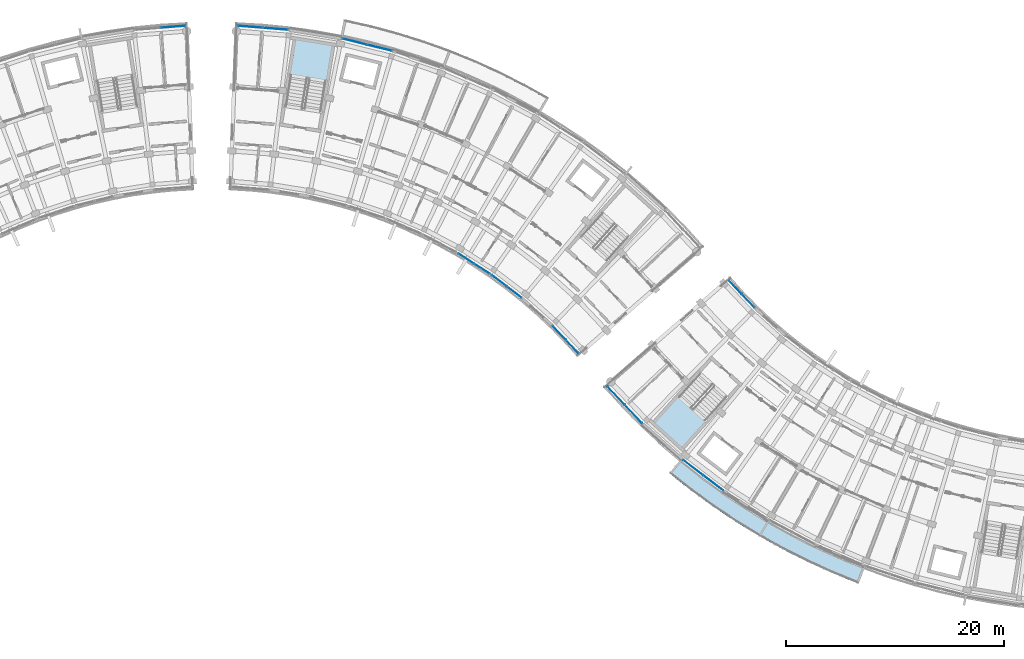
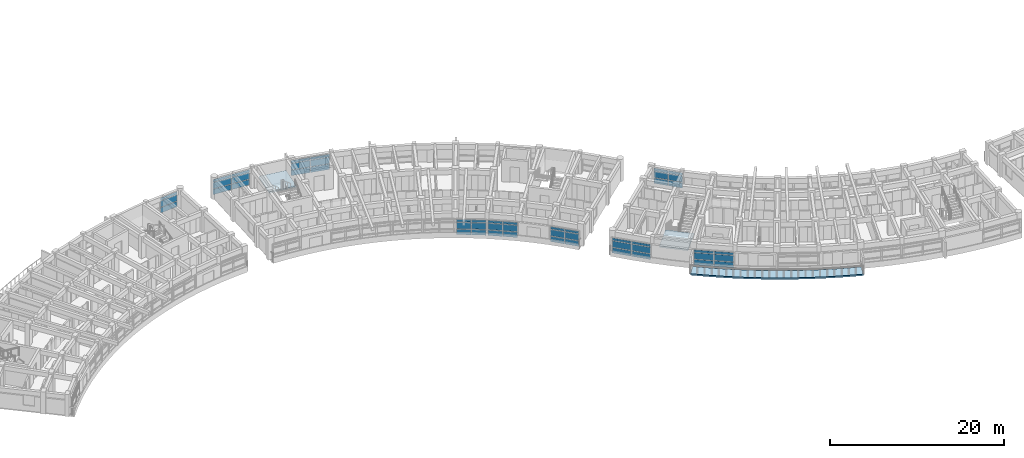
# One storey, part 23 of 55: 51 plates, 3 slabs, 11 elements without a shape of their own.
"""IFC4 building model written with IfcOpenShell, lengths in metres."""

from ifc_helpers import new_model, si_unit, direction, frame, origin, origin_2d, place, context, subcontext, project, spatial, polyline, rectangle, outline, extrude, material, layer, layer_set, type_object, element, aggregate, save


model = new_model("IFC4")

# Units and contexts
model_context = context("Model", 3, precision=1e-05, world=origin(), true_north=direction((0.0, 1.0)))
body_context = subcontext(model_context, "Body", "Model", "MODEL_VIEW")
ifc_project = project(units=[si_unit("LENGTHUNIT", "METRE"), si_unit("AREAUNIT", "SQUARE_METRE"), si_unit("VOLUMEUNIT", "CUBIC_METRE"), si_unit("PLANEANGLEUNIT", "RADIAN"), si_unit("MASSUNIT", "GRAM", prefix="KILO")], contexts=[model_context])

# Site, building, storey
site_placement = place(None, origin())
site = spatial("IfcSite", under=ifc_project, at=site_placement, CompositionType="ELEMENT")
building_placement = place(site_placement, origin())
building = spatial("IfcBuilding", under=site, at=building_placement, Name="Zimvara Arc Housing Community", CompositionType="ELEMENT")
storey_placement = place(building_placement, frame((0.0, 0.0, 14.300048828125)))
storey = spatial("IfcBuildingStorey", under=building, at=storey_placement, Name="L04", CompositionType="ELEMENT", Elevation=14.300048828125)

# Curtain wall, plates
ifc_material_1 = material(Name="Anodised Aluminium AW-6063", Category="aluminium")
curtain_wall_type_1 = type_object("IfcCurtainWallType", Name="CW-SYS-08", PredefinedType="USERDEFINED", material=ifc_material_1)
curtain_wall_1_placement = place(storey_placement, origin())
curtain_wall_1 = element("IfcCurtainWall", 1, at=curtain_wall_1_placement, inside=storey, type_object=curtain_wall_type_1, Name="cw:blkB:L04:in:b7", ObjectType="CURTAIN WALL", PredefinedType="USERDEFINED")
ifc_material_2 = material(Name="Pale-Gold Anodised Aluminium Spandrel Panel", Category="aluminium")
ifc_layer_1 = layer(ifc_material_2, 0.035888671875)
ifc_layer_set_1 = layer_set([ifc_layer_1], Name="Pale-Gold Anodised Aluminium Spandrel Panel")
plate_type_1 = type_object("IfcPlateType", Name="CWP-GLD-36", PredefinedType="CURTAIN_PANEL", material=ifc_layer_set_1)
plate_1_placement = place(storey_placement, frame((71.328857421875, 80.48828125, 0.06494140625), z_axis=(0.0, 0.0, 1.0), x_axis=(0.795473543119, -0.605988318533, 0.0)))
plate_1 = element("IfcPlate", 2, at=plate_1_placement, type_object=plate_type_1, Name="CW08 panel 1.1", PredefinedType="CURTAIN_PANEL", context=body_context, shape_type="SweptSolid", body=[
    extrude(rectangle(XDim=1.664306640625, YDim=0.035888671875, at=origin_2d()), origin(), (0.0, 0.0, 1.0), 0.75244140625),
])
plate_2_placement = place(storey_placement, frame((71.328857421875, 80.48828125, 0.88232421875), z_axis=(0.0, 0.0, 1.0), x_axis=(0.795473543119, -0.605988318533, 0.0)))
plate_2 = element("IfcPlate", 3, at=plate_2_placement, type_object=plate_type_1, Name="CW08 panel 1.2", PredefinedType="CURTAIN_PANEL", context=body_context, shape_type="SweptSolid", body=[
    extrude(rectangle(XDim=1.664306640625, YDim=0.035888671875, at=origin_2d()), origin(), (0.0, 0.0, 1.0), 0.885009765625),
])
plate_3_placement = place(storey_placement, frame((71.328857421875, 80.48828125, 1.83251953125), z_axis=(0.0, 0.0, 1.0), x_axis=(0.795473543119, -0.605988318533, 0.0)))
plate_3 = element("IfcPlate", 4, at=plate_3_placement, type_object=plate_type_1, Name="CW08 panel 1.3", PredefinedType="CURTAIN_PANEL", context=body_context, shape_type="SweptSolid", body=[
    extrude(rectangle(XDim=1.664306640625, YDim=0.035888671875, at=origin_2d()), origin(), (0.0, 0.0, 1.0), 0.3525390625),
])
plate_4_placement = place(storey_placement, frame((72.704345703125, 79.4404296875, 0.06494140625), z_axis=(0.0, 0.0, 1.0), x_axis=(0.795473543119, -0.605988318533, 0.0)))
plate_4 = element("IfcPlate", 5, at=plate_4_placement, type_object=plate_type_1, Name="CW08 panel 2.1", PredefinedType="CURTAIN_PANEL", context=body_context, shape_type="SweptSolid", body=[
    extrude(rectangle(XDim=1.664306640625, YDim=0.035888671875, at=origin_2d()), origin(), (0.0, 0.0, 1.0), 0.75244140625),
])
plate_5_placement = place(storey_placement, frame((72.704345703125, 79.4404296875, 0.88232421875), z_axis=(0.0, 0.0, 1.0), x_axis=(0.795473543119, -0.605988318533, 0.0)))
plate_5 = element("IfcPlate", 6, at=plate_5_placement, type_object=plate_type_1, Name="CW08 panel 2.2", PredefinedType="CURTAIN_PANEL", context=body_context, shape_type="SweptSolid", body=[
    extrude(rectangle(XDim=1.664306640625, YDim=0.035888671875, at=origin_2d()), origin(), (0.0, 0.0, 1.0), 0.885009765625),
])
plate_6_placement = place(storey_placement, frame((72.704345703125, 79.4404296875, 1.83251953125), z_axis=(0.0, 0.0, 1.0), x_axis=(0.795473543119, -0.605988318533, 0.0)))
plate_6 = element("IfcPlate", 7, at=plate_6_placement, type_object=plate_type_1, Name="CW08 panel 2.3", PredefinedType="CURTAIN_PANEL", context=body_context, shape_type="SweptSolid", body=[
    extrude(rectangle(XDim=1.664306640625, YDim=0.035888671875, at=origin_2d()), origin(), (0.0, 0.0, 1.0), 0.3525390625),
])
aggregate(curtain_wall_1, [plate_1, plate_2, plate_3, plate_4, plate_5, plate_6])

ifc_material_3 = material(Name="Anodised Aluminium AW-6063", Category="aluminium")
curtain_wall_type_2 = type_object("IfcCurtainWallType", Name="CW-SYS-01", PredefinedType="USERDEFINED", material=ifc_material_3)
curtain_wall_2_placement = place(storey_placement, origin())
curtain_wall_2 = element("IfcCurtainWall", 8, at=curtain_wall_2_placement, inside=storey, type_object=curtain_wall_type_2, Name="cw:blkA:L04:out:b9", ObjectType="CURTAIN WALL", PredefinedType="USERDEFINED")
ifc_material_4 = material(Name="Solar Control Low-E Double Glazing", Category="glass")
ifc_layer_2 = layer(ifc_material_4, 0.02392578125)
ifc_layer_set_2 = layer_set([ifc_layer_2], Name="Solar Control Low-E Double Glazing")
plate_type_2 = type_object("IfcPlateType", Name="CWP-GLZ-24", PredefinedType="CURTAIN_PANEL", material=ifc_layer_set_2)
plate_7_placement = place(storey_placement, frame((41.466064453125, 103.736572265625, 0.06494140625), z_axis=(0.0, 0.0, 1.0), x_axis=(0.996862418963, 0.079153759607, 0.0)))
plate_7 = element("IfcPlate", 9, at=plate_7_placement, type_object=plate_type_2, Name="CW01 panel 2.1", PredefinedType="CURTAIN_PANEL", context=body_context, shape_type="SweptSolid", body=[
    extrude(rectangle(XDim=2.266845703125, YDim=0.02392578125, at=origin_2d()), origin(), (0.0, 0.0, 1.0), 0.75244140625),
])
plate_8_placement = place(storey_placement, frame((41.466064453125, 103.736572265625, 0.88232421875), z_axis=(0.0, 0.0, 1.0), x_axis=(0.996862418963, 0.079153759607, 0.0)))
plate_8 = element("IfcPlate", 10, at=plate_8_placement, type_object=plate_type_2, Name="CW01 panel 2.2", PredefinedType="CURTAIN_PANEL", context=body_context, shape_type="SweptSolid", body=[
    extrude(rectangle(XDim=2.266845703125, YDim=0.02392578125, at=origin_2d()), origin(), (0.0, 0.0, 1.0), 0.885009765625),
])
plate_9_placement = place(storey_placement, frame((41.466064453125, 103.736572265625, 1.83251953125), z_axis=(0.0, 0.0, 1.0), x_axis=(0.996862418963, 0.079153759607, 0.0)))
plate_9 = element("IfcPlate", 11, at=plate_9_placement, type_object=plate_type_2, Name="CW01 panel 2.3", PredefinedType="CURTAIN_PANEL", context=body_context, shape_type="SweptSolid", body=[
    extrude(rectangle(XDim=2.266845703125, YDim=0.02392578125, at=origin_2d()), origin(), (0.0, 0.0, 1.0), 0.3525390625),
])
aggregate(curtain_wall_2, [plate_7, plate_8, plate_9])

ifc_material_5 = material(Name="Anodised Aluminium AW-6063", Category="aluminium")
curtain_wall_type_3 = type_object("IfcCurtainWallType", Name="CW-SYS-05", PredefinedType="USERDEFINED", material=ifc_material_5)
curtain_wall_3_placement = place(storey_placement, origin())
curtain_wall_3 = element("IfcCurtainWall", 12, at=curtain_wall_3_placement, inside=storey, type_object=curtain_wall_type_3, Name="cw:blkB:L04:out:b0", ObjectType="CURTAIN WALL", PredefinedType="USERDEFINED")
plate_10_placement = place(storey_placement, frame((48.533935546875, 103.736572265625, 0.06494140625), z_axis=(0.0, 0.0, 1.0), x_axis=(0.996862418963, -0.079153759607, 0.0)))
plate_10 = element("IfcPlate", 13, at=plate_10_placement, type_object=plate_type_2, Name="CW05 panel 1.1", PredefinedType="CURTAIN_PANEL", context=body_context, shape_type="SweptSolid", body=[
    extrude(rectangle(XDim=2.266845703125, YDim=0.02392578125, at=origin_2d()), origin(), (0.0, 0.0, 1.0), 0.75244140625),
])
plate_11_placement = place(storey_placement, frame((48.533935546875, 103.736572265625, 0.88232421875), z_axis=(0.0, 0.0, 1.0), x_axis=(0.996862418963, -0.079153759607, 0.0)))
plate_11 = element("IfcPlate", 14, at=plate_11_placement, type_object=plate_type_2, Name="CW05 panel 1.2", PredefinedType="CURTAIN_PANEL", context=body_context, shape_type="SweptSolid", body=[
    extrude(rectangle(XDim=2.266845703125, YDim=0.02392578125, at=origin_2d()), origin(), (0.0, 0.0, 1.0), 0.885009765625),
])
plate_12_placement = place(storey_placement, frame((48.533935546875, 103.736572265625, 1.83251953125), z_axis=(0.0, 0.0, 1.0), x_axis=(0.996862418963, -0.079153759607, 0.0)))
plate_12 = element("IfcPlate", 15, at=plate_12_placement, type_object=plate_type_2, Name="CW05 panel 1.3", PredefinedType="CURTAIN_PANEL", context=body_context, shape_type="SweptSolid", body=[
    extrude(rectangle(XDim=2.266845703125, YDim=0.02392578125, at=origin_2d()), origin(), (0.0, 0.0, 1.0), 0.3525390625),
])
plate_13_placement = place(storey_placement, frame((50.858642578125, 103.552001953125, 0.06494140625), z_axis=(0.0, 0.0, 1.0), x_axis=(0.996862418963, -0.079153759607, 0.0)))
plate_13 = element("IfcPlate", 16, at=plate_13_placement, type_object=plate_type_2, Name="CW05 panel 2.1", PredefinedType="CURTAIN_PANEL", context=body_context, shape_type="SweptSolid", body=[
    extrude(rectangle(XDim=2.266845703125, YDim=0.02392578125, at=origin_2d()), origin(), (0.0, 0.0, 1.0), 0.75244140625),
])
plate_14_placement = place(storey_placement, frame((50.858642578125, 103.552001953125, 0.88232421875), z_axis=(0.0, 0.0, 1.0), x_axis=(0.996862418963, -0.079153759607, 0.0)))
plate_14 = element("IfcPlate", 17, at=plate_14_placement, type_object=plate_type_2, Name="CW05 panel 2.2", PredefinedType="CURTAIN_PANEL", context=body_context, shape_type="SweptSolid", body=[
    extrude(rectangle(XDim=2.266845703125, YDim=0.02392578125, at=origin_2d()), origin(), (0.0, 0.0, 1.0), 0.885009765625),
])
plate_15_placement = place(storey_placement, frame((50.858642578125, 103.552001953125, 1.83251953125), z_axis=(0.0, 0.0, 1.0), x_axis=(0.996862418963, -0.079153759607, 0.0)))
plate_15 = element("IfcPlate", 18, at=plate_15_placement, type_object=plate_type_2, Name="CW05 panel 2.3", PredefinedType="CURTAIN_PANEL", context=body_context, shape_type="SweptSolid", body=[
    extrude(rectangle(XDim=2.266845703125, YDim=0.02392578125, at=origin_2d()), origin(), (0.0, 0.0, 1.0), 0.3525390625),
])
aggregate(curtain_wall_3, [plate_10, plate_11, plate_12, plate_13, plate_14, plate_15])

curtain_wall_4_placement = place(storey_placement, origin())
curtain_wall_4 = element("IfcCurtainWall", 19, at=curtain_wall_4_placement, inside=storey, type_object=curtain_wall_type_2, Name="cw:blkC:L04:out:b0", ObjectType="CURTAIN WALL", PredefinedType="USERDEFINED")
plate_16_placement = place(storey_placement, frame((82.029052734375, 69.988037109375, 0.06494140625), z_axis=(0.0, 0.0, 1.0), x_axis=(0.686326416495, -0.727293647725, 0.0)))
plate_16 = element("IfcPlate", 20, at=plate_16_placement, type_object=plate_type_2, Name="CW01 panel 1.1", PredefinedType="CURTAIN_PANEL", context=body_context, shape_type="SweptSolid", body=[
    extrude(rectangle(XDim=2.266845703125, YDim=0.02392578125, at=origin_2d()), origin(), (0.0, 0.0, 1.0), 0.75244140625),
])
plate_17_placement = place(storey_placement, frame((82.029052734375, 69.988037109375, 0.88232421875), z_axis=(0.0, 0.0, 1.0), x_axis=(0.686326416495, -0.727293647725, 0.0)))
plate_17 = element("IfcPlate", 21, at=plate_17_placement, type_object=plate_type_2, Name="CW01 panel 1.2", PredefinedType="CURTAIN_PANEL", context=body_context, shape_type="SweptSolid", body=[
    extrude(rectangle(XDim=2.266845703125, YDim=0.02392578125, at=origin_2d()), origin(), (0.0, 0.0, 1.0), 0.885009765625),
])
plate_18_placement = place(storey_placement, frame((82.029052734375, 69.988037109375, 1.83251953125), z_axis=(0.0, 0.0, 1.0), x_axis=(0.686326416495, -0.727293647725, 0.0)))
plate_18 = element("IfcPlate", 22, at=plate_18_placement, type_object=plate_type_2, Name="CW01 panel 1.3", PredefinedType="CURTAIN_PANEL", context=body_context, shape_type="SweptSolid", body=[
    extrude(rectangle(XDim=2.266845703125, YDim=0.02392578125, at=origin_2d()), origin(), (0.0, 0.0, 1.0), 0.3525390625),
])
plate_19_placement = place(storey_placement, frame((83.629638671875, 68.2919921875, 0.06494140625), z_axis=(0.0, 0.0, 1.0), x_axis=(0.686326416495, -0.727293647725, 0.0)))
plate_19 = element("IfcPlate", 23, at=plate_19_placement, type_object=plate_type_2, Name="CW01 panel 2.1", PredefinedType="CURTAIN_PANEL", context=body_context, shape_type="SweptSolid", body=[
    extrude(rectangle(XDim=2.266845703125, YDim=0.02392578125, at=origin_2d()), origin(), (0.0, 0.0, 1.0), 0.75244140625),
])
plate_20_placement = place(storey_placement, frame((83.629638671875, 68.2919921875, 0.88232421875), z_axis=(0.0, 0.0, 1.0), x_axis=(0.686326416495, -0.727293647725, 0.0)))
plate_20 = element("IfcPlate", 24, at=plate_20_placement, type_object=plate_type_2, Name="CW01 panel 2.2", PredefinedType="CURTAIN_PANEL", context=body_context, shape_type="SweptSolid", body=[
    extrude(rectangle(XDim=2.266845703125, YDim=0.02392578125, at=origin_2d()), origin(), (0.0, 0.0, 1.0), 0.885009765625),
])
plate_21_placement = place(storey_placement, frame((83.629638671875, 68.2919921875, 1.83251953125), z_axis=(0.0, 0.0, 1.0), x_axis=(0.686326416495, -0.727293647725, 0.0)))
plate_21 = element("IfcPlate", 25, at=plate_21_placement, type_object=plate_type_2, Name="CW01 panel 2.3", PredefinedType="CURTAIN_PANEL", context=body_context, shape_type="SweptSolid", body=[
    extrude(rectangle(XDim=2.266845703125, YDim=0.02392578125, at=origin_2d()), origin(), (0.0, 0.0, 1.0), 0.3525390625),
])
aggregate(curtain_wall_4, [plate_16, plate_17, plate_18, plate_19, plate_20, plate_21])

ifc_material_6 = material(Name="Anodised Aluminium AW-6063", Category="aluminium")
curtain_wall_type_4 = type_object("IfcCurtainWallType", Name="CW-SYS-06", PredefinedType="USERDEFINED", material=ifc_material_6)
curtain_wall_5_placement = place(storey_placement, origin())
curtain_wall_5 = element("IfcCurtainWall", 26, at=curtain_wall_5_placement, inside=storey, type_object=curtain_wall_type_4, Name="cw:blkB:L04:in:b6", ObjectType="CURTAIN WALL", PredefinedType="USERDEFINED")
ifc_material_7 = material(Name="Solar Control Low-E Double Glazing", Category="glass")
ifc_layer_3 = layer(ifc_material_7, 0.028076171875)
ifc_layer_set_3 = layer_set([ifc_layer_3], Name="Solar Control Low-E Double Glazing")
plate_type_3 = type_object("IfcPlateType", Name="CWP-GLZ-28", PredefinedType="CURTAIN_PANEL", material=ifc_layer_set_3)
plate_22_placement = place(storey_placement, frame((68.3046875, 82.5166015625, 0.06494140625), z_axis=(0.0, 0.0, 1.0), x_axis=(0.842264751752, -0.539064085203, 0.0)))
plate_22 = element("IfcPlate", 27, at=plate_22_placement, type_object=plate_type_3, Name="CW06 panel 1.1", PredefinedType="CURTAIN_PANEL", context=body_context, shape_type="SweptSolid", body=[
    extrude(rectangle(XDim=1.664306640625, YDim=0.028076171875, at=origin_2d()), origin(), (0.0, 0.0, 1.0), 0.75244140625),
])
plate_23_placement = place(storey_placement, frame((68.3046875, 82.5166015625, 0.88232421875), z_axis=(0.0, 0.0, 1.0), x_axis=(0.842264751752, -0.539064085203, 0.0)))
plate_23 = element("IfcPlate", 28, at=plate_23_placement, type_object=plate_type_3, Name="CW06 panel 1.2", PredefinedType="CURTAIN_PANEL", context=body_context, shape_type="SweptSolid", body=[
    extrude(rectangle(XDim=1.664306640625, YDim=0.028076171875, at=origin_2d()), origin(), (0.0, 0.0, 1.0), 0.885009765625),
])
plate_24_placement = place(storey_placement, frame((68.3046875, 82.5166015625, 1.83251953125), z_axis=(0.0, 0.0, 1.0), x_axis=(0.842264751752, -0.539064085203, 0.0)))
plate_24 = element("IfcPlate", 29, at=plate_24_placement, type_object=plate_type_3, Name="CW06 panel 1.3", PredefinedType="CURTAIN_PANEL", context=body_context, shape_type="SweptSolid", body=[
    extrude(rectangle(XDim=1.664306640625, YDim=0.028076171875, at=origin_2d()), origin(), (0.0, 0.0, 1.0), 0.3525390625),
])
plate_25_placement = place(storey_placement, frame((69.76123046875, 81.58447265625, 0.06494140625), z_axis=(0.0, 0.0, 1.0), x_axis=(0.842264751752, -0.539064085203, 0.0)))
plate_25 = element("IfcPlate", 30, at=plate_25_placement, type_object=plate_type_3, Name="CW06 panel 2.1", PredefinedType="CURTAIN_PANEL", context=body_context, shape_type="SweptSolid", body=[
    extrude(rectangle(XDim=1.664306640625, YDim=0.028076171875, at=origin_2d()), origin(), (0.0, 0.0, 1.0), 0.75244140625),
])
plate_26_placement = place(storey_placement, frame((69.76123046875, 81.58447265625, 0.88232421875), z_axis=(0.0, 0.0, 1.0), x_axis=(0.842264751752, -0.539064085203, 0.0)))
plate_26 = element("IfcPlate", 31, at=plate_26_placement, type_object=plate_type_3, Name="CW06 panel 2.2", PredefinedType="CURTAIN_PANEL", context=body_context, shape_type="SweptSolid", body=[
    extrude(rectangle(XDim=1.664306640625, YDim=0.028076171875, at=origin_2d()), origin(), (0.0, 0.0, 1.0), 0.885009765625),
])
plate_27_placement = place(storey_placement, frame((69.76123046875, 81.58447265625, 1.83251953125), z_axis=(0.0, 0.0, 1.0), x_axis=(0.842264751752, -0.539064085203, 0.0)))
plate_27 = element("IfcPlate", 32, at=plate_27_placement, type_object=plate_type_3, Name="CW06 panel 2.3", PredefinedType="CURTAIN_PANEL", context=body_context, shape_type="SweptSolid", body=[
    extrude(rectangle(XDim=1.664306640625, YDim=0.028076171875, at=origin_2d()), origin(), (0.0, 0.0, 1.0), 0.3525390625),
])
aggregate(curtain_wall_5, [plate_22, plate_23, plate_24, plate_25, plate_26, plate_27])

ifc_material_8 = material(Name="Anodised Aluminium AW-6063", Category="aluminium")
curtain_wall_type_5 = type_object("IfcCurtainWallType", Name="CW-SYS-02", PredefinedType="USERDEFINED", material=ifc_material_8)
curtain_wall_6_placement = place(storey_placement, origin())
curtain_wall_6 = element("IfcCurtainWall", 33, at=curtain_wall_6_placement, inside=storey, type_object=curtain_wall_type_5, Name="cw:blkB:L04:in:b9", ObjectType="CURTAIN WALL", PredefinedType="USERDEFINED")
plate_28_placement = place(storey_placement, frame((76.831298828125, 75.727294921875, 0.06494140625), z_axis=(0.0, 0.0, 1.0), x_axis=(0.686326805658, -0.727293280483, 0.0)))
plate_28 = element("IfcPlate", 34, at=plate_28_placement, type_object=plate_type_3, Name="CW02 panel 1.1", PredefinedType="CURTAIN_PANEL", context=body_context, shape_type="SweptSolid", body=[
    extrude(rectangle(XDim=1.664306640625, YDim=0.028076171875, at=origin_2d()), origin(), (0.0, 0.0, 1.0), 0.75244140625),
])
plate_29_placement = place(storey_placement, frame((76.831298828125, 75.727294921875, 0.88232421875), z_axis=(0.0, 0.0, 1.0), x_axis=(0.686326805658, -0.727293280483, 0.0)))
plate_29 = element("IfcPlate", 35, at=plate_29_placement, type_object=plate_type_3, Name="CW02 panel 1.2", PredefinedType="CURTAIN_PANEL", context=body_context, shape_type="SweptSolid", body=[
    extrude(rectangle(XDim=1.664306640625, YDim=0.028076171875, at=origin_2d()), origin(), (0.0, 0.0, 1.0), 0.885009765625),
])
plate_30_placement = place(storey_placement, frame((76.831298828125, 75.727294921875, 1.83251953125), z_axis=(0.0, 0.0, 1.0), x_axis=(0.686326805658, -0.727293280483, 0.0)))
plate_30 = element("IfcPlate", 36, at=plate_30_placement, type_object=plate_type_3, Name="CW02 panel 1.3", PredefinedType="CURTAIN_PANEL", context=body_context, shape_type="SweptSolid", body=[
    extrude(rectangle(XDim=1.664306640625, YDim=0.028076171875, at=origin_2d()), origin(), (0.0, 0.0, 1.0), 0.3525390625),
])
plate_31_placement = place(storey_placement, frame((78.018310546875, 74.469482421875, 0.06494140625), z_axis=(0.0, 0.0, 1.0), x_axis=(0.686326805658, -0.727293280483, 0.0)))
plate_31 = element("IfcPlate", 37, at=plate_31_placement, type_object=plate_type_3, Name="CW02 panel 2.1", PredefinedType="CURTAIN_PANEL", context=body_context, shape_type="SweptSolid", body=[
    extrude(rectangle(XDim=1.664306640625, YDim=0.028076171875, at=origin_2d()), origin(), (0.0, 0.0, 1.0), 0.75244140625),
])
plate_32_placement = place(storey_placement, frame((78.018310546875, 74.469482421875, 0.88232421875), z_axis=(0.0, 0.0, 1.0), x_axis=(0.686326805658, -0.727293280483, 0.0)))
plate_32 = element("IfcPlate", 38, at=plate_32_placement, type_object=plate_type_3, Name="CW02 panel 2.2", PredefinedType="CURTAIN_PANEL", context=body_context, shape_type="SweptSolid", body=[
    extrude(rectangle(XDim=1.664306640625, YDim=0.028076171875, at=origin_2d()), origin(), (0.0, 0.0, 1.0), 0.885009765625),
])
plate_33_placement = place(storey_placement, frame((78.018310546875, 74.469482421875, 1.83251953125), z_axis=(0.0, 0.0, 1.0), x_axis=(0.686326805658, -0.727293280483, 0.0)))
plate_33 = element("IfcPlate", 39, at=plate_33_placement, type_object=plate_type_3, Name="CW02 panel 2.3", PredefinedType="CURTAIN_PANEL", context=body_context, shape_type="SweptSolid", body=[
    extrude(rectangle(XDim=1.664306640625, YDim=0.028076171875, at=origin_2d()), origin(), (0.0, 0.0, 1.0), 0.3525390625),
])
aggregate(curtain_wall_6, [plate_28, plate_29, plate_30, plate_31, plate_32, plate_33])

curtain_wall_7_placement = place(storey_placement, origin())
curtain_wall_7 = element("IfcCurtainWall", 40, at=curtain_wall_7_placement, inside=storey, type_object=curtain_wall_type_5, Name="cw:blkC:L04:in:b0", ObjectType="CURTAIN WALL", PredefinedType="USERDEFINED")
plate_34_placement = place(storey_placement, frame((92.961669921875, 79.890625, 0.06494140625), z_axis=(0.0, 0.0, 1.0), x_axis=(0.686326805658, -0.727293280483, 0.0)))
plate_34 = element("IfcPlate", 41, at=plate_34_placement, type_object=plate_type_3, Name="CW02 panel 1.1", PredefinedType="CURTAIN_PANEL", context=body_context, shape_type="SweptSolid", body=[
    extrude(rectangle(XDim=1.664306640625, YDim=0.028076171875, at=origin_2d()), origin(), (0.0, 0.0, 1.0), 0.75244140625),
])
plate_35_placement = place(storey_placement, frame((92.961669921875, 79.890625, 0.88232421875), z_axis=(0.0, 0.0, 1.0), x_axis=(0.686326805658, -0.727293280483, 0.0)))
plate_35 = element("IfcPlate", 42, at=plate_35_placement, type_object=plate_type_3, Name="CW02 panel 1.2", PredefinedType="CURTAIN_PANEL", context=body_context, shape_type="SweptSolid", body=[
    extrude(rectangle(XDim=1.664306640625, YDim=0.028076171875, at=origin_2d()), origin(), (0.0, 0.0, 1.0), 0.885009765625),
])
plate_36_placement = place(storey_placement, frame((92.961669921875, 79.890625, 1.83251953125), z_axis=(0.0, 0.0, 1.0), x_axis=(0.686326805658, -0.727293280483, 0.0)))
plate_36 = element("IfcPlate", 43, at=plate_36_placement, type_object=plate_type_3, Name="CW02 panel 1.3", PredefinedType="CURTAIN_PANEL", context=body_context, shape_type="SweptSolid", body=[
    extrude(rectangle(XDim=1.664306640625, YDim=0.028076171875, at=origin_2d()), origin(), (0.0, 0.0, 1.0), 0.3525390625),
])
plate_37_placement = place(storey_placement, frame((94.148681640625, 78.6328125, 0.06494140625), z_axis=(0.0, 0.0, 1.0), x_axis=(0.686326805658, -0.727293280483, 0.0)))
plate_37 = element("IfcPlate", 44, at=plate_37_placement, type_object=plate_type_3, Name="CW02 panel 2.1", PredefinedType="CURTAIN_PANEL", context=body_context, shape_type="SweptSolid", body=[
    extrude(rectangle(XDim=1.664306640625, YDim=0.028076171875, at=origin_2d()), origin(), (0.0, 0.0, 1.0), 0.75244140625),
])
plate_38_placement = place(storey_placement, frame((94.148681640625, 78.6328125, 0.88232421875), z_axis=(0.0, 0.0, 1.0), x_axis=(0.686326805658, -0.727293280483, 0.0)))
plate_38 = element("IfcPlate", 45, at=plate_38_placement, type_object=plate_type_3, Name="CW02 panel 2.2", PredefinedType="CURTAIN_PANEL", context=body_context, shape_type="SweptSolid", body=[
    extrude(rectangle(XDim=1.664306640625, YDim=0.028076171875, at=origin_2d()), origin(), (0.0, 0.0, 1.0), 0.885009765625),
])
plate_39_placement = place(storey_placement, frame((94.148681640625, 78.6328125, 1.83251953125), z_axis=(0.0, 0.0, 1.0), x_axis=(0.686326805658, -0.727293280483, 0.0)))
plate_39 = element("IfcPlate", 46, at=plate_39_placement, type_object=plate_type_3, Name="CW02 panel 2.3", PredefinedType="CURTAIN_PANEL", context=body_context, shape_type="SweptSolid", body=[
    extrude(rectangle(XDim=1.664306640625, YDim=0.028076171875, at=origin_2d()), origin(), (0.0, 0.0, 1.0), 0.3525390625),
])
aggregate(curtain_wall_7, [plate_34, plate_35, plate_36, plate_37, plate_38, plate_39])

ifc_material_9 = material(Name="Anodised Aluminium AW-6063", Category="aluminium")
curtain_wall_type_6 = type_object("IfcCurtainWallType", Name="CW-SYS-07", PredefinedType="USERDEFINED", material=ifc_material_9)
curtain_wall_8_placement = place(storey_placement, origin())
curtain_wall_8 = element("IfcCurtainWall", 47, at=curtain_wall_8_placement, inside=storey, type_object=curtain_wall_type_6, Name="cw:blkB:L04:out:b2", ObjectType="CURTAIN WALL", PredefinedType="USERDEFINED")
ifc_material_10 = material(Name="Acoustic Laminated Solar Glazing", Category="glass")
ifc_layer_4 = layer(ifc_material_10, 0.031982421875)
ifc_layer_set_4 = layer_set([ifc_layer_4], Name="Acoustic Laminated Solar Glazing")
plate_type_4 = type_object("IfcPlateType", Name="CWP-GLZ-32", PredefinedType="CURTAIN_PANEL", material=ifc_layer_set_4)
plate_40_placement = place(storey_placement, frame((58.12109375, 102.373291015625, 0.06494140625), z_axis=(0.0, 0.0, 1.0), x_axis=(0.970716068627, -0.240229711131, 0.0)))
plate_40 = element("IfcPlate", 48, at=plate_40_placement, type_object=plate_type_4, Name="CW07 panel 1.1", PredefinedType="CURTAIN_PANEL", context=body_context, shape_type="SweptSolid", body=[
    extrude(rectangle(XDim=2.266845703125, YDim=0.031982421875, at=origin_2d()), origin(), (0.0, 0.0, 1.0), 0.75244140625),
])
plate_41_placement = place(storey_placement, frame((58.12109375, 102.373291015625, 0.88232421875), z_axis=(0.0, 0.0, 1.0), x_axis=(0.970716068627, -0.240229711131, 0.0)))
plate_41 = element("IfcPlate", 49, at=plate_41_placement, type_object=plate_type_4, Name="CW07 panel 1.2", PredefinedType="CURTAIN_PANEL", context=body_context, shape_type="SweptSolid", body=[
    extrude(rectangle(XDim=2.266845703125, YDim=0.031982421875, at=origin_2d()), origin(), (0.0, 0.0, 1.0), 0.885009765625),
])
plate_42_placement = place(storey_placement, frame((58.12109375, 102.373291015625, 1.83251953125), z_axis=(0.0, 0.0, 1.0), x_axis=(0.970716068627, -0.240229711131, 0.0)))
plate_42 = element("IfcPlate", 50, at=plate_42_placement, type_object=plate_type_4, Name="CW07 panel 1.3", PredefinedType="CURTAIN_PANEL", context=body_context, shape_type="SweptSolid", body=[
    extrude(rectangle(XDim=2.266845703125, YDim=0.031982421875, at=origin_2d()), origin(), (0.0, 0.0, 1.0), 0.3525390625),
])
plate_43_placement = place(storey_placement, frame((60.384765625, 101.81298828125, 0.06494140625), z_axis=(0.0, 0.0, 1.0), x_axis=(0.970716068627, -0.240229711131, 0.0)))
plate_43 = element("IfcPlate", 51, at=plate_43_placement, type_object=plate_type_4, Name="CW07 panel 2.1", PredefinedType="CURTAIN_PANEL", context=body_context, shape_type="SweptSolid", body=[
    extrude(rectangle(XDim=2.266845703125, YDim=0.031982421875, at=origin_2d()), origin(), (0.0, 0.0, 1.0), 0.75244140625),
])
plate_44_placement = place(storey_placement, frame((60.384765625, 101.81298828125, 0.88232421875), z_axis=(0.0, 0.0, 1.0), x_axis=(0.970716068627, -0.240229711131, 0.0)))
plate_44 = element("IfcPlate", 52, at=plate_44_placement, type_object=plate_type_4, Name="CW07 panel 2.2", PredefinedType="CURTAIN_PANEL", context=body_context, shape_type="SweptSolid", body=[
    extrude(rectangle(XDim=2.266845703125, YDim=0.031982421875, at=origin_2d()), origin(), (0.0, 0.0, 1.0), 0.885009765625),
])
plate_45_placement = place(storey_placement, frame((60.384765625, 101.81298828125, 1.83251953125), z_axis=(0.0, 0.0, 1.0), x_axis=(0.970716068627, -0.240229711131, 0.0)))
plate_45 = element("IfcPlate", 53, at=plate_45_placement, type_object=plate_type_4, Name="CW07 panel 2.3", PredefinedType="CURTAIN_PANEL", context=body_context, shape_type="SweptSolid", body=[
    extrude(rectangle(XDim=2.266845703125, YDim=0.031982421875, at=origin_2d()), origin(), (0.0, 0.0, 1.0), 0.3525390625),
])
aggregate(curtain_wall_8, [plate_40, plate_41, plate_42, plate_43, plate_44, plate_45])

ifc_material_11 = material(Name="Anodised Aluminium AW-6063", Category="aluminium")
curtain_wall_type_7 = type_object("IfcCurtainWallType", Name="CW-SYS-03", PredefinedType="USERDEFINED", material=ifc_material_11)
curtain_wall_9_placement = place(storey_placement, origin())
curtain_wall_9 = element("IfcCurtainWall", 54, at=curtain_wall_9_placement, inside=storey, type_object=curtain_wall_type_7, Name="cw:blkC:L04:out:b2", ObjectType="CURTAIN WALL", PredefinedType="USERDEFINED")
plate_46_placement = place(storey_placement, frame((89.098876953125, 63.370849609375, 0.06494140625), z_axis=(0.0, 0.0, 1.0), x_axis=(0.795473999177, -0.60598771987, 0.0)))
plate_46 = element("IfcPlate", 55, at=plate_46_placement, type_object=plate_type_4, Name="CW03 panel 1.1", PredefinedType="CURTAIN_PANEL", context=body_context, shape_type="SweptSolid", body=[
    extrude(rectangle(XDim=2.266845703125, YDim=0.031982421875, at=origin_2d()), origin(), (0.0, 0.0, 1.0), 0.75244140625),
])
plate_47_placement = place(storey_placement, frame((89.098876953125, 63.370849609375, 0.88232421875), z_axis=(0.0, 0.0, 1.0), x_axis=(0.795473999177, -0.60598771987, 0.0)))
plate_47 = element("IfcPlate", 56, at=plate_47_placement, type_object=plate_type_4, Name="CW03 panel 1.2", PredefinedType="CURTAIN_PANEL", context=body_context, shape_type="SweptSolid", body=[
    extrude(rectangle(XDim=2.266845703125, YDim=0.031982421875, at=origin_2d()), origin(), (0.0, 0.0, 1.0), 0.885009765625),
])
plate_48_placement = place(storey_placement, frame((89.098876953125, 63.370849609375, 1.83251953125), z_axis=(0.0, 0.0, 1.0), x_axis=(0.795473999177, -0.60598771987, 0.0)))
plate_48 = element("IfcPlate", 57, at=plate_48_placement, type_object=plate_type_4, Name="CW03 panel 1.3", PredefinedType="CURTAIN_PANEL", context=body_context, shape_type="SweptSolid", body=[
    extrude(rectangle(XDim=2.266845703125, YDim=0.031982421875, at=origin_2d()), origin(), (0.0, 0.0, 1.0), 0.3525390625),
])
plate_49_placement = place(storey_placement, frame((90.953857421875, 61.95751953125, 0.06494140625), z_axis=(0.0, 0.0, 1.0), x_axis=(0.795473999177, -0.60598771987, 0.0)))
plate_49 = element("IfcPlate", 58, at=plate_49_placement, type_object=plate_type_4, Name="CW03 panel 2.1", PredefinedType="CURTAIN_PANEL", context=body_context, shape_type="SweptSolid", body=[
    extrude(rectangle(XDim=2.266845703125, YDim=0.031982421875, at=origin_2d()), origin(), (0.0, 0.0, 1.0), 0.75244140625),
])
plate_50_placement = place(storey_placement, frame((90.953857421875, 61.95751953125, 0.88232421875), z_axis=(0.0, 0.0, 1.0), x_axis=(0.795473999177, -0.60598771987, 0.0)))
plate_50 = element("IfcPlate", 59, at=plate_50_placement, type_object=plate_type_4, Name="CW03 panel 2.2", PredefinedType="CURTAIN_PANEL", context=body_context, shape_type="SweptSolid", body=[
    extrude(rectangle(XDim=2.266845703125, YDim=0.031982421875, at=origin_2d()), origin(), (0.0, 0.0, 1.0), 0.885009765625),
])
plate_51_placement = place(storey_placement, frame((90.953857421875, 61.95751953125, 1.83251953125), z_axis=(0.0, 0.0, 1.0), x_axis=(0.795473999177, -0.60598771987, 0.0)))
plate_51 = element("IfcPlate", 60, at=plate_51_placement, type_object=plate_type_4, Name="CW03 panel 2.3", PredefinedType="CURTAIN_PANEL", context=body_context, shape_type="SweptSolid", body=[
    extrude(rectangle(XDim=2.266845703125, YDim=0.031982421875, at=origin_2d()), origin(), (0.0, 0.0, 1.0), 0.3525390625),
])
aggregate(curtain_wall_9, [plate_46, plate_47, plate_48, plate_49, plate_50, plate_51])

# Stair, slab
ifc_material_12 = material(Name="Concrete C35/45", Category="concrete")
stair_type_1 = type_object("IfcStairType", Name="STR-DL-315-310", PredefinedType="HALF_TURN_STAIR", material=ifc_material_12)
stair_1_placement = place(storey_placement, origin())
stair_1 = element("IfcStair", 61, at=stair_1_placement, inside=storey, type_object=stair_type_1, Name="L04 Block B Exit Stair 1", PredefinedType="HALF_TURN_STAIR")
ifc_material_13 = material(Name="Concrete C35/45", Category="concrete")
ifc_layer_5 = layer(ifc_material_13, 0.199951171875)
ifc_layer_set_5 = layer_set([ifc_layer_5], Name="Concrete C35/45")
slab_type_1 = type_object("IfcSlabType", Name="SLB-STAIR-LND-200", PredefinedType="LANDING", material=ifc_layer_set_5)
slab_1_placement = place(storey_placement, frame((0.0, 0.0, 1.349853515625)))
slab_1 = element("IfcSlab", 62, at=slab_1_placement, type_object=slab_type_1, Name="ST-B1 landing 1", PredefinedType="LANDING", context=body_context, shape_type="SweptSolid", body=[
    extrude(outline(polyline([(55.501953125, 98.712646484375), (56.037841796875, 102.014404296875), (52.721435546875, 102.552978515625), (52.185302734375, 99.2509765625), (55.501953125, 98.712646484375)])), origin(), (0.0, 0.0, 1.0), 0.2001953125),
])
aggregate(stair_1, [slab_1])

ifc_material_14 = material(Name="Concrete C35/45", Category="concrete")
stair_type_2 = type_object("IfcStairType", Name="STR-DL-318-310", PredefinedType="HALF_TURN_STAIR", material=ifc_material_14)
stair_2_placement = place(storey_placement, origin())
stair_2 = element("IfcStair", 63, at=stair_2_placement, inside=storey, type_object=stair_type_2, Name="L04 Block C Exit Stair 1", PredefinedType="HALF_TURN_STAIR")
slab_2_placement = place(storey_placement, frame((0.0, 0.0, 1.349853515625)))
slab_2 = element("IfcSlab", 64, at=slab_2_placement, type_object=slab_type_1, Name="ST-C1 landing 1", PredefinedType="LANDING", context=body_context, shape_type="SweptSolid", body=[
    extrude(outline(polyline([(87.794677734375, 69.932861328125), (85.575439453125, 67.46630859375), (88.0732421875, 65.218994140625), (90.29248046875, 67.685546875), (87.794677734375, 69.932861328125)])), origin(), (0.0, 0.0, 1.0), 0.2001953125),
])
aggregate(stair_2, [slab_2])

# Slab
ifc_material_15 = material(Name="Concrete C35/45", Category="concrete")
ifc_layer_6 = layer(ifc_material_15, 0.2099609375)
ifc_layer_set_6 = layer_set([ifc_layer_6], Name="Concrete C35/45")
slab_type_2 = type_object("IfcSlabType", Name="SLB-TER-210", PredefinedType="FLOOR", material=ifc_layer_set_6)
slab_3_placement = place(storey_placement, frame((0.0, 0.0, -0.2099609375)))
element("IfcSlab", 65, at=slab_3_placement, inside=storey, type_object=slab_type_2, Name="slab:blkC:L04:bal_out", PredefinedType="FLOOR", context=body_context, shape_type="SweptSolid", body=[
    extrude(outline(polyline([(104.688232421875, 54.160888671875), (104.687744140625, 54.1611328125), (102.432373046875, 55.076416015625), (102.431396484375, 55.076904296875), (100.21533203125, 56.08349609375), (100.214111328125, 56.083984375), (98.041015625, 57.18017578125), (98.0400390625, 57.180908203125), (95.91357421875, 58.364990234375), (95.912353515625, 58.365478515625), (93.836181640625, 59.635498046875), (93.8349609375, 59.63623046875), (91.812255859375, 60.98974609375), (91.811279296875, 60.990478515625), (89.845458984375, 62.425537109375), (89.844482421875, 62.42626953125), (87.938720703125, 63.9404296875), (87.938232421875, 63.94091796875), (87.00048828125, 62.808837890625), (87.969482421875, 62.022705078125), (88.9541015625, 61.256591796875), (89.954345703125, 60.5107421875), (90.969482421875, 59.785400390625), (91.999267578125, 59.080810546875), (93.043212890625, 58.397705078125), (94.100830078125, 57.73583984375), (95.171875, 57.095703125), (96.255615234375, 56.477783203125), (97.351806640625, 55.8818359375), (98.4599609375, 55.30859375), (99.57958984375, 54.758056640625), (100.710205078125, 54.23046875), (101.851318359375, 53.72607421875), (103.002685546875, 53.2451171875), (104.163330078125, 52.787841796875), (104.688232421875, 54.160888671875)])), origin(), (0.0, 0.0, 1.0), 0.2099609375),
])

save(model, "model.ifc")
